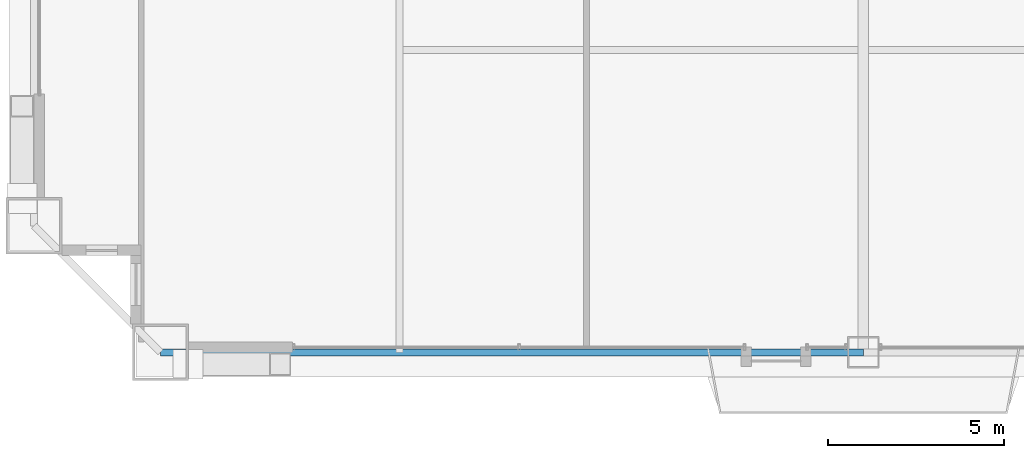
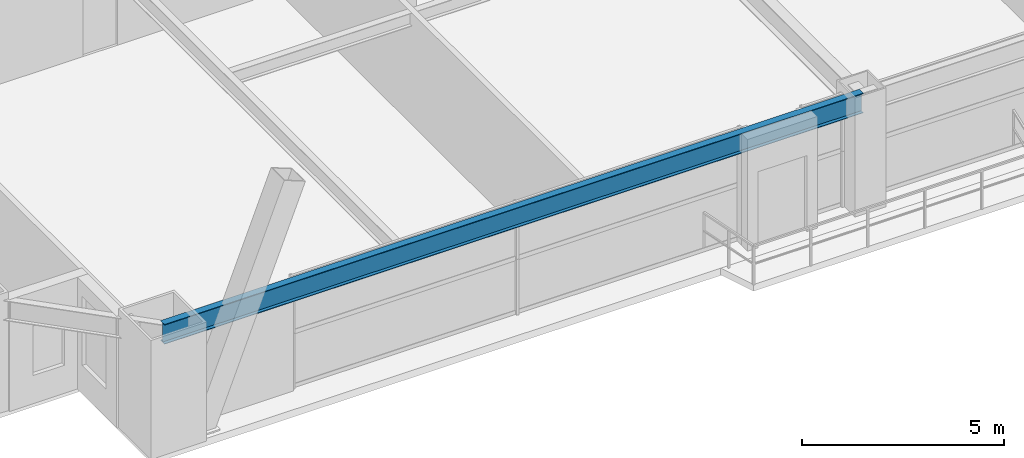
# One storey, part 4 of 43: 1 beam.
"""IFC4 building model written with IfcOpenShell, lengths in metres."""

import ifcopenshell
import ifcopenshell.guid

model = None  # the IFC model being written
_history = None  # IfcOwnerHistory: only IFC2X3 demands one
_inside = {}  # id of a spatial element -> (the spatial element, [elements in it])
_under = {}  # id of a project, library or spatial element -> (it, [spatial elements below it])
_declared = {}  # id of a project -> (the project, [libraries it declares])
_typed = {}  # id of a type object -> (the type object, [elements of that type])
_made_of = {}  # id of a material, layer set ... -> (it, [elements and type objects made of it])


def new_model(schema):
    """Start an empty IFC model of exactly this schema.

    Asked for "IFC4X3", IfcOpenShell would pick the latest addendum, in which some entities
    have other attributes; the version numbers below select the first issue.
    IFC2X3 requires an IfcOwnerHistory on every rooted entity: one is made here for all.
    """
    global model, _history
    if schema == "IFC4X3":
        model = ifcopenshell.file(schema_version=(4, 3, 0, 0))
    else:
        model = ifcopenshell.file(schema=schema)
    _inside.clear()
    _under.clear()
    _declared.clear()
    _typed.clear()
    _made_of.clear()
    _history = None
    if model.schema == "IFC2X3":
        org = make("IfcOrganization", Name="unknown")
        user = make(
            "IfcPersonAndOrganization",
            ThePerson=make("IfcPerson", FamilyName="unknown"),
            TheOrganization=org,
        )
        app = make(
            "IfcApplication",
            ApplicationDeveloper=org,
            Version="unknown",
            ApplicationFullName="unknown",
            ApplicationIdentifier="unknown",
        )
        _history = make(
            "IfcOwnerHistory",
            OwningUser=user,
            OwningApplication=app,
            ChangeAction="ADDED",
            CreationDate=0,
        )
    return model


def make(cls, **values):
    """One entity of the class cls with the attributes given. An attribute that is None is left unset."""
    return model.create_entity(
        cls, **{name: value for name, value in values.items() if value is not None}
    )


def rooted(cls, **values):
    """An entity with a GlobalId (a new one), such as an element, a storey or a relation."""
    return make(cls, GlobalId=ifcopenshell.guid.new(), OwnerHistory=_history, **values)


def si_unit(unit_type, name, prefix=None):
    """IfcSIUnit, for example si_unit("LENGTHUNIT", "METRE", prefix="MILLI")."""
    return make("IfcSIUnit", UnitType=unit_type, Prefix=prefix, Name=name)


def assignment(units):
    """IfcUnitAssignment: the units of a project."""
    return None if units is None else make("IfcUnitAssignment", Units=units)


def point(xyz):
    """IfcCartesianPoint."""
    return None if xyz is None else make("IfcCartesianPoint", Coordinates=xyz)


def direction(xyz):
    """IfcDirection."""
    return None if xyz is None else make("IfcDirection", DirectionRatios=xyz)


def frame(location, z_axis=None, x_axis=None):
    """IfcAxis2Placement3D, a coordinate frame: its origin and axes. An axis left out is left unset."""
    return make(
        "IfcAxis2Placement3D",
        Location=point(location),
        Axis=direction(z_axis),
        RefDirection=direction(x_axis),
    )


def frame_2d(location, x_axis=None):
    """IfcAxis2Placement2D, a coordinate frame in the plane: its origin and x axis."""
    return make(
        "IfcAxis2Placement2D", Location=point(location), RefDirection=direction(x_axis)
    )


def origin():
    """The frame at (0, 0, 0) with its axes left unset."""
    return frame((0.0, 0.0, 0.0))


def origin_2d():
    """The frame at (0, 0) in the plane with its x axis left unset."""
    return frame_2d((0.0, 0.0))


def place(relative_to, where):
    """IfcLocalPlacement: puts the frame where relative to a parent placement (None: the world)."""
    return make(
        "IfcLocalPlacement", PlacementRelTo=relative_to, RelativePlacement=where
    )


def context(
    kind, dimensions, precision=None, world=None, true_north=None, identifier=None
):
    """IfcGeometricRepresentationContext, for example the 3D "Model" context."""
    return make(
        "IfcGeometricRepresentationContext",
        ContextIdentifier=identifier,
        ContextType=kind,
        CoordinateSpaceDimension=dimensions,
        Precision=precision,
        WorldCoordinateSystem=world,
        TrueNorth=true_north,
    )


def subcontext(parent, identifier, kind, view, scale=None):
    """IfcGeometricRepresentationSubContext, for example "Body" below "Model"."""
    return make(
        "IfcGeometricRepresentationSubContext",
        ContextIdentifier=identifier,
        ContextType=kind,
        ParentContext=parent,
        TargetScale=scale,
        TargetView=view,
    )


def project(units=None, contexts=None):
    """IfcProject with its units and contexts."""
    return rooted(
        "IfcProject",
        Name="project",
        RepresentationContexts=contexts,
        UnitsInContext=assignment(units),
    )


def spatial(cls, under=None, at=None, **own):
    """A site, building, storey or space (cls), placed at a placement, below another one or the project."""
    s = rooted(cls, ObjectPlacement=at, **own)
    if under is not None:
        _under.setdefault(under.id(), (under, []))[1].append(s)
    return s


def profile(cls, at=None, kind="AREA", **sizes):
    """A parametric profile (cls). Its sizes go by their IFC names, for example OverallWidth=200.0."""
    return make(cls, ProfileType=kind, Position=at, **sizes)


def i_section(**sizes):
    """IfcIShapeProfileDef."""
    return profile("IfcIShapeProfileDef", **sizes)


def extrude(swept, where, along, depth):
    """IfcExtrudedAreaSolid: the profile swept, set in the frame where, extruded along a direction by depth."""
    return make(
        "IfcExtrudedAreaSolid",
        SweptArea=swept,
        Position=where,
        ExtrudedDirection=direction(along),
        Depth=depth,
    )


def shape(context_of_items, identifier, shape_type, items):
    """IfcShapeRepresentation: the items that make up one representation, for example the "Body"."""
    return make(
        "IfcShapeRepresentation",
        ContextOfItems=context_of_items,
        RepresentationIdentifier=identifier,
        RepresentationType=shape_type,
        Items=items,
    )


def source(mapping_origin, context_of_items, identifier, shape_type, items):
    """IfcRepresentationMap: a shape defined once, which mapped items show again and again."""
    return make(
        "IfcRepresentationMap",
        MappingOrigin=mapping_origin,
        MappedRepresentation=shape(context_of_items, identifier, shape_type, items),
    )


def transform(
    local_origin,
    x_axis=None,
    y_axis=None,
    z_axis=None,
    scale=None,
    scale2=None,
    scale3=None,
    uniform=True,
):
    """IfcCartesianTransformationOperator3D, or its non-uniform kind. x_axis, y_axis, z_axis: its Axis1, 2, 3."""
    if uniform:
        return make(
            "IfcCartesianTransformationOperator3D",
            Axis1=direction(x_axis),
            Axis2=direction(y_axis),
            LocalOrigin=point(local_origin),
            Scale=scale,
            Axis3=direction(z_axis),
        )
    return make(
        "IfcCartesianTransformationOperator3DnonUniform",
        Axis1=direction(x_axis),
        Axis2=direction(y_axis),
        LocalOrigin=point(local_origin),
        Scale=scale,
        Axis3=direction(z_axis),
        Scale2=scale2,
        Scale3=scale3,
    )


def mapped(mapping_source, mapping_target):
    """IfcMappedItem: shows the shape of a source again, moved by a transform."""
    return make(
        "IfcMappedItem", MappingSource=mapping_source, MappingTarget=mapping_target
    )


def material(Name=None, Category=None):
    """IfcMaterial."""
    return make("IfcMaterial", Name=Name, Category=Category)


def material_profile(
    of_material, cross_section, Name=None, Category=None, Priority=None
):
    """IfcMaterialProfile: a cross section and its material."""
    return make(
        "IfcMaterialProfile",
        Name=Name,
        Material=of_material,
        Profile=cross_section,
        Priority=Priority,
        Category=Category,
    )


def profile_set(profiles, Name=None, composite=None):
    """IfcMaterialProfileSet."""
    return make(
        "IfcMaterialProfileSet",
        Name=Name,
        MaterialProfiles=profiles,
        CompositeProfile=composite,
    )


def made_of(thing, what):
    """Note that an element or type object is made of a material, layer set ...; save() writes the relation."""
    if what is not None:
        _made_of.setdefault(what.id(), (what, []))[1].append(thing)
    return thing


def type_object(cls, material=None, **own):
    """A type object (cls), such as IfcWallType, which elements share."""
    return made_of(rooted(cls, **own), material)


def element(
    cls,
    number,
    at=None,
    inside=None,
    cuts=None,
    type_object=None,
    material=None,
    context=None,
    identifier="Body",
    shape_type=None,
    held_by="IfcProductDefinitionShape",
    body=None,
    shapes=None,
    **own,
):
    """One element of the class cls, such as IfcWall. Its Tag is "e" and its number.

    at: its placement. inside: the storey or other place that contains it. cuts: it is an
    opening in that element (IfcRelVoidsElement). A single representation is given by context,
    identifier, shape_type and body (its items); several are given by shapes. held_by: the class
    of the entity that holds the representations. save() writes the other relations.
    """
    e = rooted(cls, Tag="e%d" % number, ObjectPlacement=at, **own)
    if body is not None:
        shapes = [shape(context, identifier, shape_type, body)]
    if shapes is not None:
        e.Representation = make(held_by, Representations=shapes)
    if inside is not None:
        _inside.setdefault(inside.id(), (inside, []))[1].append(e)
    if cuts is not None:
        rooted(
            "IfcRelVoidsElement", RelatingBuildingElement=cuts, RelatedOpeningElement=e
        )
    if type_object is not None:
        _typed.setdefault(type_object.id(), (type_object, []))[1].append(e)
    return made_of(e, material)


def aggregate(whole, parts):
    """IfcRelAggregates: a whole, such as a stair, and the parts it consists of."""
    return rooted("IfcRelAggregates", RelatingObject=whole, RelatedObjects=parts)


def save(model, path):
    """Write the relations noted so far, then the file.

    IfcRelAggregates (storeys below a building ...), IfcRelContainedInSpatialStructure (elements
    in a storey), IfcRelDefinesByType, IfcRelAssociatesMaterial and IfcRelDeclares: one each for
    every whole, place, type object, material and project.
    """
    for whole, parts in _under.values():
        aggregate(whole, parts)
    for where, things in _inside.values():
        rooted(
            "IfcRelContainedInSpatialStructure",
            RelatedElements=things,
            RelatingStructure=where,
        )
    for kind, things in _typed.values():
        rooted("IfcRelDefinesByType", RelatedObjects=things, RelatingType=kind)
    for what, things in _made_of.values():
        rooted("IfcRelAssociatesMaterial", RelatedObjects=things, RelatingMaterial=what)
    for by, libraries in _declared.values():
        rooted("IfcRelDeclares", RelatingContext=by, RelatedDefinitions=libraries)
    model.write(path)


model = new_model("IFC4")

# Units and contexts
model_context = context("Model", 3, precision=1e-05, world=origin(), true_north=direction((0.0, 1.0)))
body_context = subcontext(model_context, "Body", "Model", "MODEL_VIEW")
ifc_project = project(units=[si_unit("LENGTHUNIT", "METRE"), si_unit("AREAUNIT", "SQUARE_METRE"), si_unit("VOLUMEUNIT", "CUBIC_METRE"), si_unit("PLANEANGLEUNIT", "RADIAN"), si_unit("MASSUNIT", "GRAM", prefix="KILO"), si_unit("THERMODYNAMICTEMPERATUREUNIT", "KELVIN"), si_unit("POWERUNIT", "WATT")], contexts=[model_context])

# Site, building, storey
site_placement = place(None, origin())
site = spatial("IfcSite", under=ifc_project, at=site_placement, CompositionType="ELEMENT")
building_placement = place(site_placement, origin())
building = spatial("IfcBuilding", under=site, at=building_placement, Name="Yuzanri Waterfront Tower", CompositionType="ELEMENT")
storey_placement = place(building_placement, frame((0.0, 0.0, 108.199951171875)))
storey = spatial("IfcBuildingStorey", under=building, at=storey_placement, Name="L28", CompositionType="ELEMENT", Elevation=108.199951171875)

# Beam
ifc_material = material(Name="Steel Q355B", Category="steel")
ifc_material_profile = material_profile(ifc_material, i_section(OverallWidth=0.199951171875, OverallDepth=0.60009765625, WebThickness=0.010986328125, FlangeThickness=0.01708984375, at=origin_2d()), Name="HN 600x200x11x17")
ifc_profile_set = profile_set([ifc_material_profile], Name="Steel Q355B")
beam_type = type_object("IfcBeamType", Name="Perimeter Spandrel Q355B HN 600x200", PredefinedType="SPANDREL", material=ifc_profile_set)
shared_shape = source(origin(), body_context, "Body", "SweptSolid", [
    extrude(i_section(OverallWidth=0.199951171875, OverallDepth=0.60009765625, WebThickness=0.010986328125, FlangeThickness=0.01708984375, at=origin_2d()), origin(), (0.0, 0.0, 1.0), 20.0),
])
beam_placement = place(storey_placement, frame((17.0, 2.199951171875, 3.080078125), z_axis=(1.0, 0.0, 0.0), x_axis=(0.0, 1.0, 0.0)))
element("IfcBeam", 1, at=beam_placement, inside=storey, type_object=beam_type, Name="L28 Perimeter Spandrel S1-S2", PredefinedType="SPANDREL", context=body_context, shape_type="MappedRepresentation", body=[
    mapped(shared_shape, transform((0.0, 0.0, 0.0), scale=1.0)),
])

save(model, "model.ifc")
